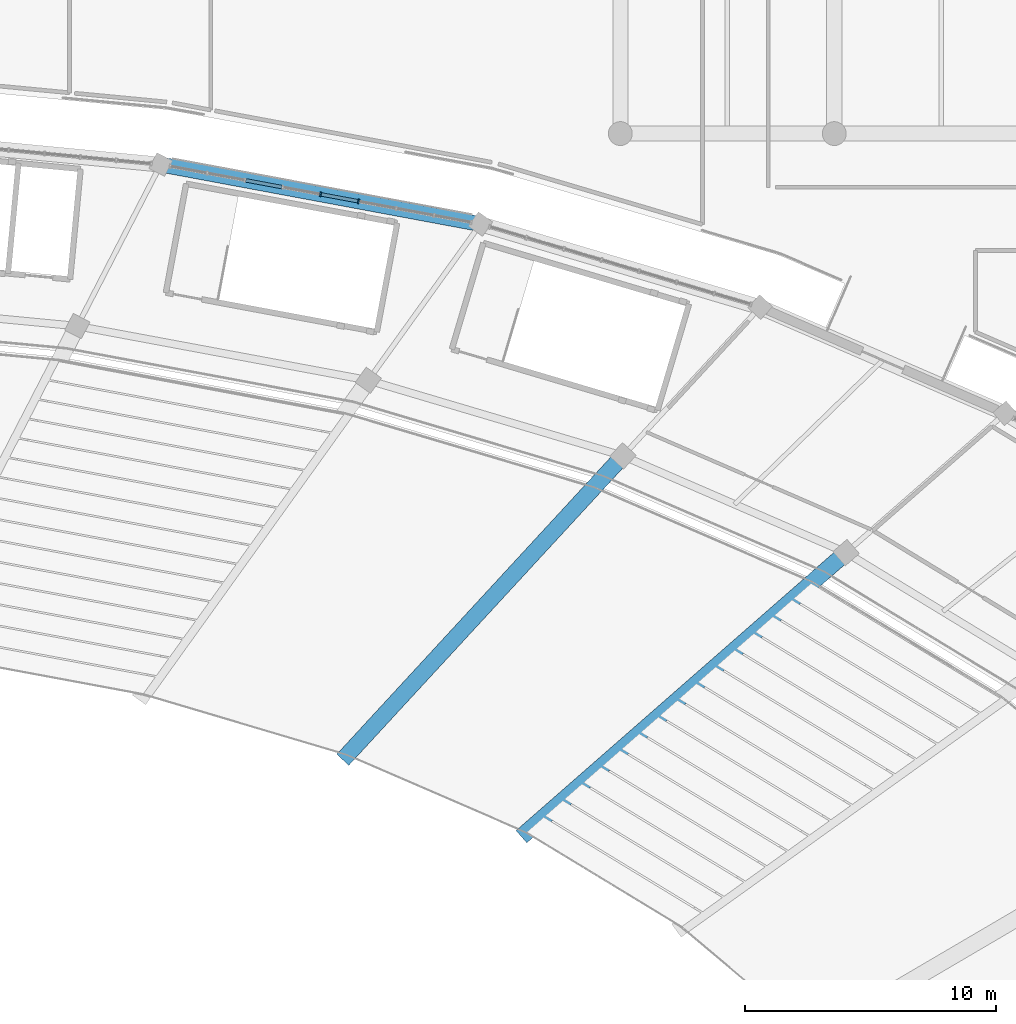
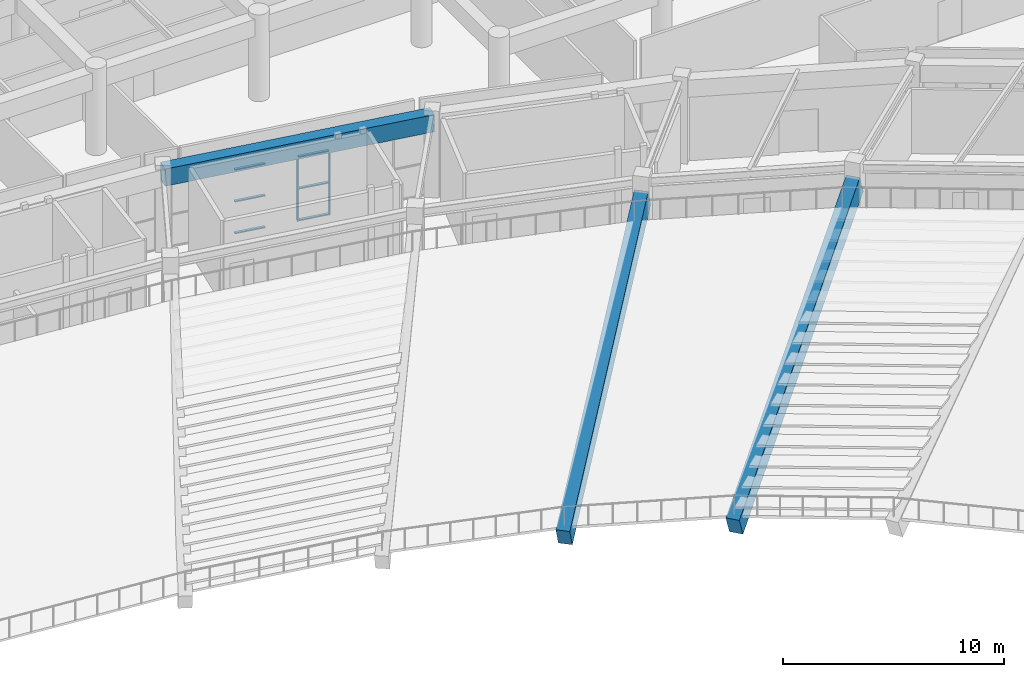
# One storey, part 65 of 137: 8 members, 3 beams, 1 element without a shape of its own.
"""IFC4 building model written with IfcOpenShell, lengths in metres."""

from ifc_helpers import new_model, si_unit, direction, frame, origin, origin_2d, place, context, subcontext, project, spatial, rectangle, extrude, material, layer, layer_set, material_profile, profile_set, type_object, element, aggregate, save


model = new_model("IFC4")

# Units and contexts
model_context = context("Model", 3, precision=1e-05, world=origin(), true_north=direction((0.0, 1.0)))
body_context = subcontext(model_context, "Body", "Model", "MODEL_VIEW")
ifc_project = project(units=[si_unit("LENGTHUNIT", "METRE"), si_unit("AREAUNIT", "SQUARE_METRE"), si_unit("VOLUMEUNIT", "CUBIC_METRE"), si_unit("PLANEANGLEUNIT", "RADIAN"), si_unit("MASSUNIT", "GRAM", prefix="KILO")], contexts=[model_context])

# Site, building, storey
site_placement = place(None, origin())
site = spatial("IfcSite", under=ifc_project, at=site_placement, CompositionType="ELEMENT")
building_placement = place(site_placement, origin())
building = spatial("IfcBuilding", under=site, at=building_placement, Name="Mphavela Belvedere Stadium", CompositionType="ELEMENT")
storey_placement = place(building_placement, frame((0.0, 0.0, 19.199951171875)))
storey = spatial("IfcBuildingStorey", under=building, at=storey_placement, Name="L04", CompositionType="ELEMENT", Elevation=19.199951171875)

# Beams
ifc_material_1 = material(Name="Concrete C40/50", Category="concrete")
ifc_material_profile_1 = material_profile(ifc_material_1, rectangle(XDim=0.60009765625, YDim=0.949951171875, at=origin_2d()), Name="RC 600x950")
ifc_profile_set_1 = profile_set([ifc_material_profile_1], Name="Concrete C40/50")
beam_type_1 = type_object("IfcBeamType", Name="BM-ENTABLATURE-950", PredefinedType="SPANDREL", material=ifc_profile_set_1)
beam_1_placement = place(storey_placement, frame((164.80126953125, 156.39697265625, 4.074951171875), z_axis=(-0.983098571421, 0.183077029882, 0.0), x_axis=(-0.183077029882, -0.983098571421, 0.0)))
element("IfcBeam", 1, at=beam_1_placement, inside=storey, type_object=beam_type_1, Name="Circumferential girder L04 R4-10", PredefinedType="SPANDREL", context=body_context, shape_type="SweptSolid", body=[
    extrude(rectangle(XDim=0.60009765625, YDim=0.949951171875, at=origin_2d()), origin(), (0.0, 0.0, 1.0), 12.947265625),
])
ifc_material_2 = material(Name="Precast concrete C45/55", Category="concrete")
ifc_material_profile_2 = material_profile(ifc_material_2, rectangle(XDim=0.64990234375, YDim=1.199951171875, at=origin_2d()), Name="PC 650x1200")
ifc_profile_set_2 = profile_set([ifc_material_profile_2], Name="Precast concrete C45/55")
beam_type_2 = type_object("IfcBeamType", Name="BM-RAKER-UPPER", PredefinedType="USERDEFINED", material=ifc_profile_set_2)
beam_2_placement = place(storey_placement, frame((166.62158203125, 132.170166015625, -4.349853515625), z_axis=(0.684252041104, 0.598748403333, 0.416292557886), x_axis=(-0.65852196664, 0.752561505429, 0.0)))
element("IfcBeam", 2, at=beam_2_placement, inside=storey, type_object=beam_type_2, Name="Upper tier precast cantilever raker beam RK-U-08", ObjectType="RAKER BEAM", PredefinedType="USERDEFINED", context=body_context, shape_type="SweptSolid", body=[
    extrude(rectangle(XDim=0.64990234375, YDim=1.199951171875, at=origin_2d()), origin(), (0.0, 0.0, 1.0), 18.61669921875),
])
beam_3_placement = place(storey_placement, frame((159.495849609375, 135.259033203125, -4.349853515625), z_axis=(0.611484833259, 0.66318967186, 0.43158516869), x_axis=(-0.73518469662, 0.6778668467, 0.0)))
element("IfcBeam", 3, at=beam_3_placement, inside=storey, type_object=beam_type_2, Name="Upper tier precast cantilever raker beam RK-U-09", ObjectType="RAKER BEAM", PredefinedType="USERDEFINED", context=body_context, shape_type="SweptSolid", body=[
    extrude(rectangle(XDim=0.64990234375, YDim=1.199951171875, at=origin_2d()), origin(), (0.0, 0.0, 1.0), 17.95703125),
])

# Curtain wall, members
ifc_material_3 = material(Name="Anodised bronze unitised curtain wall framing")
ifc_layer = layer(ifc_material_3, 0.205078125)
ifc_layer_set = layer_set([ifc_layer], Name="Anodised bronze unitised curtain wall framing")
curtain_wall_type = type_object("IfcCurtainWallType", Name="CW-UNIT-06", PredefinedType="USERDEFINED", material=ifc_layer_set)
curtain_wall_placement = place(storey_placement, origin())
curtain_wall = element("IfcCurtainWall", 4, at=curtain_wall_placement, inside=storey, type_object=curtain_wall_type, Name="Belvedere colonnade curtain wall L04-10", ObjectType="UNITISED CURTAIN WALL", PredefinedType="USERDEFINED")
ifc_material_4 = material(Name="Anodised bronze extruded aluminium", Category="aluminium")
ifc_material_profile_3 = material_profile(ifc_material_4, rectangle(XDim=0.179931640625, YDim=0.06494140625, at=origin_2d()), Name="CW-MUL 180x65")
ifc_profile_set_3 = profile_set([ifc_material_profile_3], Name="Anodised bronze extruded aluminium")
member_type_1 = type_object("IfcMemberType", Name="CWM-180x65", PredefinedType="MULLION", material=ifc_profile_set_3)
member_1_placement = place(storey_placement, frame((159.942626953125, 157.3017578125, 0.0), z_axis=(0.0, 0.0, 1.0), x_axis=(-0.183090835302, -0.983096000413, 0.0)))
member_1 = element("IfcMember", 5, at=member_1_placement, type_object=member_type_1, Name="CW-06 mullion 4", PredefinedType="MULLION", context=body_context, shape_type="SweptSolid", body=[
    extrude(rectangle(XDim=0.179931640625, YDim=0.06494140625, at=origin_2d()), origin(), (0.0, 0.0, 1.0), 3.570068359375),
])
member_2_placement = place(storey_placement, frame((158.43701171875, 157.58203125, 0.0), z_axis=(0.0, 0.0, 1.0), x_axis=(-0.183090835302, -0.983096000413, 0.0)))
member_2 = element("IfcMember", 6, at=member_2_placement, type_object=member_type_1, Name="CW-06 mullion 5", PredefinedType="MULLION", context=body_context, shape_type="SweptSolid", body=[
    extrude(rectangle(XDim=0.179931640625, YDim=0.06494140625, at=origin_2d()), origin(), (0.0, 0.0, 1.0), 3.570068359375),
])
ifc_material_5 = material(Name="Anodised bronze extruded aluminium", Category="aluminium")
ifc_material_profile_4 = material_profile(ifc_material_5, rectangle(XDim=0.139892578125, YDim=0.06005859375, at=origin_2d()), Name="CW-TRN 140x60")
ifc_profile_set_4 = profile_set([ifc_material_profile_4], Name="Anodised bronze extruded aluminium")
member_type_2 = type_object("IfcMemberType", Name="CWT-140x60", PredefinedType="USERDEFINED", material=ifc_profile_set_4)
member_3_placement = place(storey_placement, frame((159.91064453125, 157.3076171875, 0.030029296875), z_axis=(-0.983088250536, 0.183132442945, 0.0), x_axis=(-0.183132442945, -0.983088250536, 0.0)))
member_3 = element("IfcMember", 7, at=member_3_placement, type_object=member_type_2, Name="CW-06 transom 4.1", ObjectType="TRANSOM", PredefinedType="USERDEFINED", context=body_context, shape_type="SweptSolid", body=[
    extrude(rectangle(XDim=0.139892578125, YDim=0.06005859375, at=origin_2d()), origin(), (0.0, 0.0, 1.0), 1.466552734375),
])
member_4_placement = place(storey_placement, frame((159.91064453125, 157.3076171875, 1.78515625), z_axis=(-0.983088250536, 0.183132442945, 0.0), x_axis=(-0.183132442945, -0.983088250536, 0.0)))
member_4 = element("IfcMember", 8, at=member_4_placement, type_object=member_type_2, Name="CW-06 transom 4.2", ObjectType="TRANSOM", PredefinedType="USERDEFINED", context=body_context, shape_type="SweptSolid", body=[
    extrude(rectangle(XDim=0.139892578125, YDim=0.06005859375, at=origin_2d()), origin(), (0.0, 0.0, 1.0), 1.466552734375),
])
member_5_placement = place(storey_placement, frame((159.91064453125, 157.3076171875, 3.5400390625), z_axis=(-0.983088250536, 0.183132442945, 0.0), x_axis=(-0.183132442945, -0.983088250536, 0.0)))
member_5 = element("IfcMember", 9, at=member_5_placement, type_object=member_type_2, Name="CW-06 transom 4.3", ObjectType="TRANSOM", PredefinedType="USERDEFINED", context=body_context, shape_type="SweptSolid", body=[
    extrude(rectangle(XDim=0.139892578125, YDim=0.06005859375, at=origin_2d()), origin(), (0.0, 0.0, 1.0), 1.466552734375),
])
member_6_placement = place(storey_placement, frame((156.8994140625, 157.868408203125, 0.030029296875), z_axis=(-0.983082665707, 0.183162420779, 0.0), x_axis=(-0.183162420779, -0.983082665707, 0.0)))
member_6 = element("IfcMember", 10, at=member_6_placement, type_object=member_type_2, Name="CW-06 transom 6.1", ObjectType="TRANSOM", PredefinedType="USERDEFINED", context=body_context, shape_type="SweptSolid", body=[
    extrude(rectangle(XDim=0.139892578125, YDim=0.06005859375, at=origin_2d()), origin(), (0.0, 0.0, 1.0), 1.46630859375),
])
member_7_placement = place(storey_placement, frame((156.8994140625, 157.868408203125, 1.78515625), z_axis=(-0.983082665707, 0.183162420779, 0.0), x_axis=(-0.183162420779, -0.983082665707, 0.0)))
member_7 = element("IfcMember", 11, at=member_7_placement, type_object=member_type_2, Name="CW-06 transom 6.2", ObjectType="TRANSOM", PredefinedType="USERDEFINED", context=body_context, shape_type="SweptSolid", body=[
    extrude(rectangle(XDim=0.139892578125, YDim=0.06005859375, at=origin_2d()), origin(), (0.0, 0.0, 1.0), 1.46630859375),
])
member_8_placement = place(storey_placement, frame((156.8994140625, 157.868408203125, 3.5400390625), z_axis=(-0.983082665707, 0.183162420779, 0.0), x_axis=(-0.183162420779, -0.983082665707, 0.0)))
member_8 = element("IfcMember", 12, at=member_8_placement, type_object=member_type_2, Name="CW-06 transom 6.3", ObjectType="TRANSOM", PredefinedType="USERDEFINED", context=body_context, shape_type="SweptSolid", body=[
    extrude(rectangle(XDim=0.139892578125, YDim=0.06005859375, at=origin_2d()), origin(), (0.0, 0.0, 1.0), 1.46630859375),
])
aggregate(curtain_wall, [member_1, member_2, member_3, member_4, member_5, member_6, member_7, member_8])

save(model, "model.ifc")
